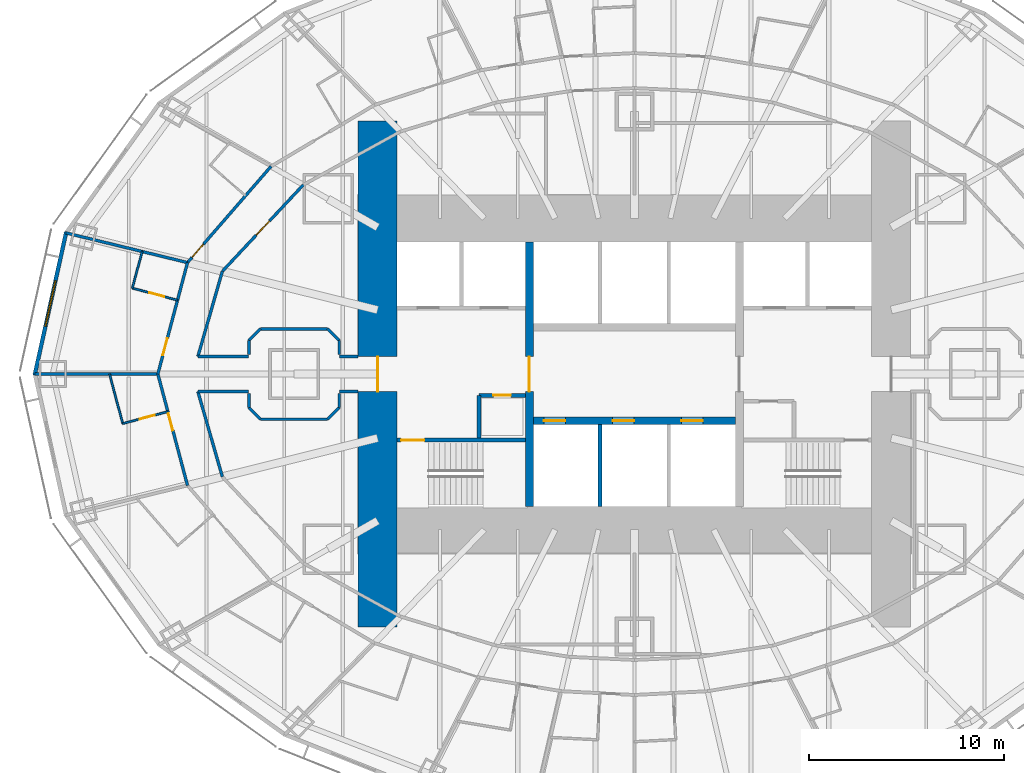
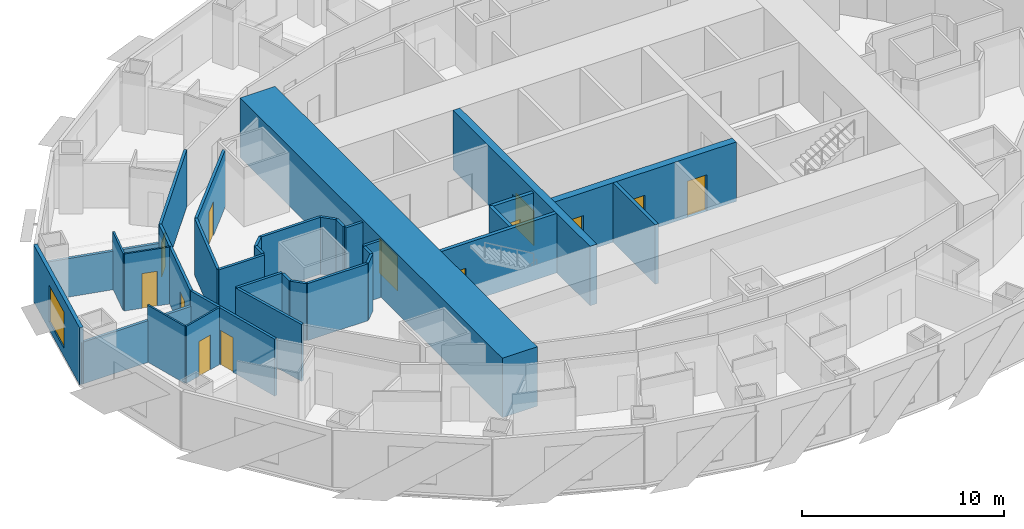
# One storey, part 6 of 15: 34 walls, 13 doors, 1 window, 14 openings.
"""IFC4 building model written with IfcOpenShell, lengths in metres."""

from ifc_helpers import new_model, si_unit, direction, frame, frame_2d, origin, place, context, subcontext, project, spatial, rectangle, extrude, material, layer, layer_set, type_object, element, fill, save


model = new_model("IFC4")

# Units and contexts
model_context = context("Model", 3, precision=1e-05, world=origin(), true_north=direction((0.0, 1.0)))
body_context = subcontext(model_context, "Body", "Model", "MODEL_VIEW")
ifc_project = project(units=[si_unit("LENGTHUNIT", "METRE"), si_unit("AREAUNIT", "SQUARE_METRE"), si_unit("VOLUMEUNIT", "CUBIC_METRE"), si_unit("PLANEANGLEUNIT", "RADIAN"), si_unit("MASSUNIT", "GRAM", prefix="KILO")], contexts=[model_context])

# Site, building, storey
site_placement = place(None, origin())
site = spatial("IfcSite", under=ifc_project, at=site_placement, CompositionType="ELEMENT")
building_placement = place(site_placement, origin())
building = spatial("IfcBuilding", under=site, at=building_placement, Name="Lantaw Convention Tower", CompositionType="ELEMENT")
storey_placement = place(building_placement, frame((0.0, 0.0, 62.199951171875)))
storey = spatial("IfcBuildingStorey", under=building, at=storey_placement, Name="L13", CompositionType="ELEMENT", Elevation=62.199951171875)

# Wall, opening, door
ifc_material_1 = material(Name="Moisture resistant gypsum board on steel studs", Category="steel")
ifc_layer_1 = layer(ifc_material_1, 0.10009765625)
ifc_layer_set_1 = layer_set([ifc_layer_1], Name="Bathroom wall 100")
wall_type_1 = type_object("IfcWallType", Name="Bathroom wall 100", PredefinedType="PARTITIONING", material=ifc_layer_set_1)
wall_1_placement = place(storey_placement, frame((-23.490234375, 3.7958984375, 0.0), z_axis=(0.0, 0.0, 1.0), x_axis=(-0.96639514992, 0.257061109879, 0.0)))
wall_1 = element("IfcWall", 1, at=wall_1_placement, inside=storey, type_object=wall_type_1, Name="Bathroom wall 100", PredefinedType="PARTITIONING", context=body_context, shape_type="SweptSolid", body=[
    extrude(rectangle(XDim=2.39990234375, YDim=0.10009765625, at=frame_2d((1.199951171875, 0.0))), origin(), (0.0, 0.0, 1.0), 3.449951171875),
])
opening_1_placement = place(wall_1_placement, frame((0.699951171875, 0.0, 0.0)))
opening_1 = element("IfcOpeningElement", 2, at=opening_1_placement, cuts=wall_1, Name="Opening L13.41", PredefinedType="OPENING", context=body_context, shape_type="SweptSolid", body=[
    extrude(rectangle(XDim=0.800048828125, YDim=2.10009765625, at=frame_2d((0.39990234375, 1.050048828125))), frame((0.0, 0.06005859375, 0.0), z_axis=(0.0, -1.0, 0.0), x_axis=(1.0, 0.0, 0.0)), (0.0, 0.0, 1.0), 0.1201171875),
])
ifc_material_2 = material(Name="Timber", Category="wood")
door_type_1 = type_object("IfcDoorType", Name="Bathroom door 800", OperationType="SINGLE_SWING_LEFT", PredefinedType="DOOR", material=ifc_material_2)
door_1_placement = place(opening_1_placement, origin())
door_1 = element("IfcDoor", 3, at=door_1_placement, inside=storey, type_object=door_type_1, Name="Bathroom door", OperationType="SINGLE_SWING_LEFT", OverallHeight=2.10009765625, OverallWidth=0.800048828125, PredefinedType="DOOR", context=body_context, shape_type="SweptSolid", body=[
    extrude(rectangle(XDim=0.800048828125, YDim=2.10009765625, at=frame_2d((0.39990234375, 1.050048828125))), frame((0.0, 0.02490234375, 0.0), z_axis=(0.0, -1.0, 0.0), x_axis=(1.0, 0.0, 0.0)), (0.0, 0.0, 1.0), 0.050048828125),
])
fill(opening_1, door_1)

# Wall
wall_2_placement = place(storey_placement, frame((-25.8095703125, 4.412841796875, 0.0), z_axis=(0.0, 0.0, 1.0), x_axis=(0.257143831715, 0.96637314212, 0.0)))
element("IfcWall", 4, at=wall_2_placement, inside=storey, type_object=wall_type_1, Name="Bathroom wall 100", PredefinedType="PARTITIONING", context=body_context, shape_type="SweptSolid", body=[
    extrude(rectangle(XDim=1.96240234375, YDim=0.10009765625, at=frame_2d((0.981201171875, 0.0))), origin(), (0.0, 0.0, 1.0), 3.449951171875),
])

# Wall, opening, door
wall_3_placement = place(storey_placement, frame((-23.98583984375, -1.932861328125, 0.0), z_axis=(0.0, 0.0, 1.0), x_axis=(-0.96639514992, -0.257061109879, 0.0)))
wall_3 = element("IfcWall", 5, at=wall_3_placement, inside=storey, type_object=wall_type_1, Name="Bathroom wall 100", PredefinedType="PARTITIONING", context=body_context, shape_type="SweptSolid", body=[
    extrude(rectangle(XDim=2.39990234375, YDim=0.10009765625, at=frame_2d((1.199951171875, 0.0))), origin(), (0.0, 0.0, 1.0), 3.449951171875),
])
opening_2_placement = place(wall_3_placement, frame((0.699951171875, 0.0, 0.0)))
opening_2 = element("IfcOpeningElement", 6, at=opening_2_placement, cuts=wall_3, Name="Opening L13.43", PredefinedType="OPENING", context=body_context, shape_type="SweptSolid", body=[
    extrude(rectangle(XDim=0.800048828125, YDim=2.10009765625, at=frame_2d((0.39990234375, 1.050048828125))), frame((0.0, 0.06005859375, 0.0), z_axis=(0.0, -1.0, 0.0), x_axis=(1.0, 0.0, 0.0)), (0.0, 0.0, 1.0), 0.1201171875),
])
door_2_placement = place(opening_2_placement, origin())
door_2 = element("IfcDoor", 7, at=door_2_placement, inside=storey, type_object=door_type_1, Name="Bathroom door", OperationType="SINGLE_SWING_LEFT", OverallHeight=2.10009765625, OverallWidth=0.800048828125, PredefinedType="DOOR", context=body_context, shape_type="SweptSolid", body=[
    extrude(rectangle(XDim=0.800048828125, YDim=2.10009765625, at=frame_2d((0.39990234375, 1.050048828125))), frame((0.0, 0.02490234375, 0.0), z_axis=(0.0, -1.0, 0.0), x_axis=(1.0, 0.0, 0.0)), (0.0, 0.0, 1.0), 0.050048828125),
])
fill(opening_2, door_2)

# Wall
wall_4_placement = place(storey_placement, frame((-26.30517578125, -2.5498046875, 0.0), z_axis=(0.0, 0.0, 1.0), x_axis=(-0.257052122515, 0.966397540513, 0.0)))
element("IfcWall", 8, at=wall_4_placement, inside=storey, type_object=wall_type_1, Name="Bathroom wall 100", PredefinedType="PARTITIONING", context=body_context, shape_type="SweptSolid", body=[
    extrude(rectangle(XDim=2.638427734375, YDim=0.10009765625, at=frame_2d((1.3193359375, 0.0))), origin(), (0.0, 0.0, 1.0), 3.449951171875),
])

# Wall, opening, door
ifc_material_3 = material(Name="Concrete C60/75", Category="concrete")
ifc_layer_2 = layer(ifc_material_3, 0.199951171875)
ifc_layer_set_2 = layer_set([ifc_layer_2], Name="Core wall 200")
wall_type_2 = type_object("IfcWallType", Name="Core wall 200", PredefinedType="SHEAR", material=ifc_layer_set_2)
wall_5_placement = place(storey_placement, frame((-5.60009765625, -3.39990234375, 0.0), z_axis=(0.0, 0.0, 1.0), x_axis=(-1.0, 0.0, 0.0)))
wall_5 = element("IfcWall", 9, at=wall_5_placement, inside=storey, type_object=wall_type_2, Name="Core wall WS", PredefinedType="SHEAR", context=body_context, shape_type="SweptSolid", body=[
    extrude(rectangle(XDim=6.599853515625, YDim=0.199951171875, at=frame_2d((3.2998046875, 0.0))), origin(), (0.0, 0.0, 1.0), 3.60009765625),
])
opening_3_placement = place(wall_5_placement, frame((5.199951171875, 0.0, 0.0)))
opening_3 = element("IfcOpeningElement", 10, at=opening_3_placement, cuts=wall_5, Name="Opening L13.06", PredefinedType="OPENING", context=body_context, shape_type="SweptSolid", body=[
    extrude(rectangle(XDim=1.199951171875, YDim=2.10009765625, at=frame_2d((0.60009765625, 1.050048828125))), frame((0.0, 0.10986328125, 0.0), z_axis=(0.0, -1.0, 0.0), x_axis=(1.0, 0.0, 0.0)), (0.0, 0.0, 1.0), 0.219970703125),
])
ifc_material_4 = material(Name="Steel, fire rated", Category="steel")
door_type_2 = type_object("IfcDoorType", Name="Stair door FD90", OperationType="SINGLE_SWING_RIGHT", PredefinedType="DOOR", material=ifc_material_4)
door_3_placement = place(opening_3_placement, origin())
door_3 = element("IfcDoor", 11, at=door_3_placement, inside=storey, type_object=door_type_2, Name="Exit stair door", OperationType="SINGLE_SWING_RIGHT", OverallHeight=2.10009765625, OverallWidth=1.199951171875, PredefinedType="DOOR", context=body_context, shape_type="SweptSolid", body=[
    extrude(rectangle(XDim=1.199951171875, YDim=2.10009765625, at=frame_2d((0.60009765625, 1.050048828125))), frame((0.0, 0.02490234375, 0.0), z_axis=(0.0, -1.0, 0.0), x_axis=(1.0, 0.0, 0.0)), (0.0, 0.0, 1.0), 0.050048828125),
])
fill(opening_3, door_3)

ifc_layer_3 = layer(ifc_material_3, 2.0)
ifc_layer_set_3 = layer_set([ifc_layer_3], Name="Core wall 2000")
wall_type_3 = type_object("IfcWallType", Name="Core wall 2000", PredefinedType="SHEAR", material=ifc_layer_set_3)
wall_6_placement = place(storey_placement, frame((-13.199951171875, 13.0, 0.0), z_axis=(0.0, 0.0, 1.0), x_axis=(0.0, -1.0, 0.0)))
wall_6 = element("IfcWall", 12, at=wall_6_placement, inside=storey, type_object=wall_type_3, Name="Core wall W", PredefinedType="SHEAR", context=body_context, shape_type="SweptSolid", body=[
    extrude(rectangle(XDim=26.0, YDim=2.0, at=frame_2d((13.0, 0.0))), origin(), (0.0, 0.0, 1.0), 3.60009765625),
])
opening_4_placement = place(wall_6_placement, frame((12.10009765625, 0.0, 0.0)))
opening_4 = element("IfcOpeningElement", 13, at=opening_4_placement, cuts=wall_6, Name="Opening L13.08", PredefinedType="OPENING", context=body_context, shape_type="SweptSolid", body=[
    extrude(rectangle(XDim=1.800048828125, YDim=2.10009765625, at=frame_2d((0.89990234375, 1.050048828125))), frame((0.0, 1.010009765625, 0.0), z_axis=(0.0, -1.0, 0.0), x_axis=(1.0, 0.0, 0.0)), (0.0, 0.0, 1.0), 2.02001953125),
])
door_type_3 = type_object("IfcDoorType", Name="Lobby double door FD90", OperationType="DOUBLE_DOOR_DOUBLE_SWING", PredefinedType="DOOR", material=ifc_material_4)
door_4_placement = place(opening_4_placement, origin())
door_4 = element("IfcDoor", 14, at=door_4_placement, inside=storey, type_object=door_type_3, Name="Firefighting lobby door", OperationType="DOUBLE_DOOR_DOUBLE_SWING", OverallHeight=2.10009765625, OverallWidth=1.800048828125, PredefinedType="DOOR", context=body_context, shape_type="SweptSolid", body=[
    extrude(rectangle(XDim=1.800048828125, YDim=2.10009765625, at=frame_2d((0.89990234375, 1.050048828125))), frame((0.0, 0.02490234375, 0.0), z_axis=(0.0, -1.0, 0.0), x_axis=(1.0, 0.0, 0.0)), (0.0, 0.0, 1.0), 0.050048828125),
])
fill(opening_4, door_4)

ifc_layer_4 = layer(ifc_material_3, 0.39990234375)
ifc_layer_set_4 = layer_set([ifc_layer_4], Name="Core wall 400")
wall_type_4 = type_object("IfcWallType", Name="Core wall 400", PredefinedType="SHEAR", material=ifc_layer_set_4)
wall_7_placement = place(storey_placement, frame((-5.39990234375, 6.800048828125, 0.0), z_axis=(0.0, 0.0, 1.0), x_axis=(0.0, -1.0, 0.0)))
wall_7 = element("IfcWall", 15, at=wall_7_placement, inside=storey, type_object=wall_type_4, Name="Core wall XW", PredefinedType="SHEAR", context=body_context, shape_type="SweptSolid", body=[
    extrude(rectangle(XDim=13.60009765625, YDim=0.39990234375, at=frame_2d((6.800048828125, 0.0))), origin(), (0.0, 0.0, 1.0), 3.60009765625),
])
opening_5_placement = place(wall_7_placement, frame((5.89990234375, 0.0, 0.0)))
opening_5 = element("IfcOpeningElement", 16, at=opening_5_placement, cuts=wall_7, Name="Opening L13.04", PredefinedType="OPENING", context=body_context, shape_type="SweptSolid", body=[
    extrude(rectangle(XDim=1.800048828125, YDim=2.10009765625, at=frame_2d((0.89990234375, 1.050048828125))), frame((0.0, 0.2099609375, 0.0), z_axis=(0.0, -1.0, 0.0), x_axis=(1.0, 0.0, 0.0)), (0.0, 0.0, 1.0), 0.419921875),
])
door_5_placement = place(opening_5_placement, origin())
door_5 = element("IfcDoor", 17, at=door_5_placement, inside=storey, type_object=door_type_3, Name="Lift lobby door", OperationType="DOUBLE_DOOR_DOUBLE_SWING", OverallHeight=2.10009765625, OverallWidth=1.800048828125, PredefinedType="DOOR", context=body_context, shape_type="SweptSolid", body=[
    extrude(rectangle(XDim=1.800048828125, YDim=2.10009765625, at=frame_2d((0.89990234375, 1.050048828125))), frame((0.0, 0.02490234375, 0.0), z_axis=(0.0, -1.0, 0.0), x_axis=(1.0, 0.0, 0.0)), (0.0, 0.0, 1.0), 0.050048828125),
])
fill(opening_5, door_5)

# Wall, openings, doors
wall_8_placement = place(storey_placement, frame((-5.199951171875, -2.39990234375, 0.0), z_axis=(0.0, 0.0, 1.0), x_axis=(1.0, 0.0, 0.0)))
wall_8 = element("IfcWall", 18, at=wall_8_placement, inside=storey, type_object=wall_type_4, Name="Core wall BS", PredefinedType="SHEAR", context=body_context, shape_type="SweptSolid", body=[
    extrude(rectangle(XDim=10.39990234375, YDim=0.39990234375, at=frame_2d((5.199951171875, 0.0))), origin(), (0.0, 0.0, 1.0), 3.60009765625),
])
opening_6_placement = place(wall_8_placement, frame((0.550048828125, 0.0, 0.0)))
opening_6 = element("IfcOpeningElement", 19, at=opening_6_placement, cuts=wall_8, Name="Opening L13.09", PredefinedType="OPENING", context=body_context, shape_type="SweptSolid", body=[
    extrude(rectangle(XDim=1.10009765625, YDim=2.199951171875, at=frame_2d((0.550048828125, 1.10009765625))), frame((0.0, 0.2099609375, 0.0), z_axis=(0.0, -1.0, 0.0), x_axis=(1.0, 0.0, 0.0)), (0.0, 0.0, 1.0), 0.419921875),
])
opening_7_placement = place(wall_8_placement, frame((4.083251953125, 0.0, 0.0)))
opening_7 = element("IfcOpeningElement", 20, at=opening_7_placement, cuts=wall_8, Name="Opening L13.10", PredefinedType="OPENING", context=body_context, shape_type="SweptSolid", body=[
    extrude(rectangle(XDim=1.10009765625, YDim=2.199951171875, at=frame_2d((0.550048828125, 1.10009765625))), frame((0.0, 0.2099609375, 0.0), z_axis=(0.0, -1.0, 0.0), x_axis=(1.0, 0.0, 0.0)), (0.0, 0.0, 1.0), 0.419921875),
])
opening_8_placement = place(wall_8_placement, frame((7.61669921875, 0.0, 0.0)))
opening_8 = element("IfcOpeningElement", 21, at=opening_8_placement, cuts=wall_8, Name="Opening L13.11", PredefinedType="OPENING", context=body_context, shape_type="SweptSolid", body=[
    extrude(rectangle(XDim=1.10009765625, YDim=2.199951171875, at=frame_2d((0.550048828125, 1.10009765625))), frame((0.0, 0.2099609375, 0.0), z_axis=(0.0, -1.0, 0.0), x_axis=(1.0, 0.0, 0.0)), (0.0, 0.0, 1.0), 0.419921875),
])
ifc_material_5 = material(Name="Stainless steel", Category="steel")
door_type_4 = type_object("IfcDoorType", Name="Lift landing door 1100", OperationType="DOUBLE_DOOR_SLIDING", PredefinedType="DOOR", material=ifc_material_5)
door_6_placement = place(opening_6_placement, origin())
door_6 = element("IfcDoor", 22, at=door_6_placement, inside=storey, type_object=door_type_4, Name="Lift landing door H1", OperationType="DOUBLE_DOOR_SLIDING", OverallHeight=2.199951171875, OverallWidth=1.10009765625, PredefinedType="DOOR", context=body_context, shape_type="SweptSolid", body=[
    extrude(rectangle(XDim=1.10009765625, YDim=2.199951171875, at=frame_2d((0.550048828125, 1.10009765625))), frame((0.0, 0.02490234375, 0.0), z_axis=(0.0, -1.0, 0.0), x_axis=(1.0, 0.0, 0.0)), (0.0, 0.0, 1.0), 0.050048828125),
])
fill(opening_6, door_6)
door_7_placement = place(opening_7_placement, origin())
door_7 = element("IfcDoor", 23, at=door_7_placement, inside=storey, type_object=door_type_4, Name="Lift landing door H2", OperationType="DOUBLE_DOOR_SLIDING", OverallHeight=2.199951171875, OverallWidth=1.10009765625, PredefinedType="DOOR", context=body_context, shape_type="SweptSolid", body=[
    extrude(rectangle(XDim=1.10009765625, YDim=2.199951171875, at=frame_2d((0.550048828125, 1.10009765625))), frame((0.0, 0.02490234375, 0.0), z_axis=(0.0, -1.0, 0.0), x_axis=(1.0, 0.0, 0.0)), (0.0, 0.0, 1.0), 0.050048828125),
])
fill(opening_7, door_7)
door_8_placement = place(opening_8_placement, origin())
door_8 = element("IfcDoor", 24, at=door_8_placement, inside=storey, type_object=door_type_4, Name="Lift landing door H3", OperationType="DOUBLE_DOOR_SLIDING", OverallHeight=2.199951171875, OverallWidth=1.10009765625, PredefinedType="DOOR", context=body_context, shape_type="SweptSolid", body=[
    extrude(rectangle(XDim=1.10009765625, YDim=2.199951171875, at=frame_2d((0.550048828125, 1.10009765625))), frame((0.0, 0.02490234375, 0.0), z_axis=(0.0, -1.0, 0.0), x_axis=(1.0, 0.0, 0.0)), (0.0, 0.0, 1.0), 0.050048828125),
])
fill(opening_8, door_8)

# Wall, opening, door
ifc_material_6 = material(Name="Gypsum board on steel studs, fire rated", Category="steel")
ifc_layer_5 = layer(ifc_material_6, 0.14990234375)
ifc_layer_set_5 = layer_set([ifc_layer_5], Name="Corridor wall 150 EI 60")
wall_type_5 = type_object("IfcWallType", Name="Corridor wall 150 EI 60", PredefinedType="PARTITIONING", material=ifc_layer_set_5)
wall_9_placement = place(storey_placement, frame((-18.681396484375, 10.675048828125, 0.0), z_axis=(0.0, 0.0, 1.0), x_axis=(-0.655599989166, -0.755108372491, 0.0)))
wall_9 = element("IfcWall", 25, at=wall_9_placement, inside=storey, type_object=wall_type_5, Name="Corridor wall 150", PredefinedType="PARTITIONING", context=body_context, shape_type="SweptSolid", body=[
    extrude(rectangle(XDim=6.55078125, YDim=0.14990234375, at=frame_2d((3.275390625, 0.0))), origin(), (0.0, 0.0, 1.0), 3.449951171875),
])
opening_9_placement = place(wall_9_placement, frame((5.30078125, 0.0, 0.0)))
opening_9 = element("IfcOpeningElement", 26, at=opening_9_placement, cuts=wall_9, Name="Opening L13.40", PredefinedType="OPENING", context=body_context, shape_type="SweptSolid", body=[
    extrude(rectangle(XDim=0.89990234375, YDim=2.10009765625, at=frame_2d((0.449951171875, 1.050048828125))), frame((0.0, 0.0849609375, 0.0), z_axis=(0.0, -1.0, 0.0), x_axis=(1.0, 0.0, 0.0)), (0.0, 0.0, 1.0), 0.169921875),
])
door_type_5 = type_object("IfcDoorType", Name="Guest room entrance door FD30S", OperationType="SINGLE_SWING_LEFT", PredefinedType="DOOR", material=ifc_material_4)
door_9_placement = place(opening_9_placement, origin())
door_9 = element("IfcDoor", 27, at=door_9_placement, inside=storey, type_object=door_type_5, Name="Guest room entrance door", OperationType="SINGLE_SWING_LEFT", OverallHeight=2.10009765625, OverallWidth=0.89990234375, PredefinedType="DOOR", context=body_context, shape_type="SweptSolid", body=[
    extrude(rectangle(XDim=0.89990234375, YDim=2.10009765625, at=frame_2d((0.449951171875, 1.050048828125))), frame((0.0, 0.02490234375, 0.0), z_axis=(0.0, -1.0, 0.0), x_axis=(1.0, 0.0, 0.0)), (0.0, 0.0, 1.0), 0.050048828125),
])
fill(opening_9, door_9)

wall_10_placement = place(storey_placement, frame((-22.97607421875, 5.728515625, 0.0), z_axis=(0.0, 0.0, 1.0), x_axis=(-0.257083265334, -0.966389256296, 0.0)))
wall_10 = element("IfcWall", 28, at=wall_10_placement, inside=storey, type_object=wall_type_5, Name="Corridor wall 150", PredefinedType="PARTITIONING", context=body_context, shape_type="SweptSolid", body=[
    extrude(rectangle(XDim=5.927734375, YDim=0.14990234375, at=frame_2d((2.9638671875, 0.0))), origin(), (0.0, 0.0, 1.0), 3.449951171875),
])
opening_10_placement = place(wall_10_placement, frame((4.023193359375, 0.0, 0.0)))
opening_10 = element("IfcOpeningElement", 29, at=opening_10_placement, cuts=wall_10, Name="Opening L13.42", PredefinedType="OPENING", context=body_context, shape_type="SweptSolid", body=[
    extrude(rectangle(XDim=0.89990234375, YDim=2.10009765625, at=frame_2d((0.449951171875, 1.050048828125))), frame((0.0, 0.0849609375, 0.0), z_axis=(0.0, -1.0, 0.0), x_axis=(1.0, 0.0, 0.0)), (0.0, 0.0, 1.0), 0.169921875),
])
door_10_placement = place(opening_10_placement, origin())
door_10 = element("IfcDoor", 30, at=door_10_placement, inside=storey, type_object=door_type_5, Name="Guest room entrance door", OperationType="SINGLE_SWING_LEFT", OverallHeight=2.10009765625, OverallWidth=0.89990234375, PredefinedType="DOOR", context=body_context, shape_type="SweptSolid", body=[
    extrude(rectangle(XDim=0.89990234375, YDim=2.10009765625, at=frame_2d((0.449951171875, 1.050048828125))), frame((0.0, 0.02490234375, 0.0), z_axis=(0.0, -1.0, 0.0), x_axis=(1.0, 0.0, 0.0)), (0.0, 0.0, 1.0), 0.050048828125),
])
fill(opening_10, door_10)

wall_11_placement = place(storey_placement, frame((-24.5, 0.0, 0.0), z_axis=(0.0, 0.0, 1.0), x_axis=(0.257083265334, -0.966389256296, 0.0)))
wall_11 = element("IfcWall", 31, at=wall_11_placement, inside=storey, type_object=wall_type_5, Name="Corridor wall 150", PredefinedType="PARTITIONING", context=body_context, shape_type="SweptSolid", body=[
    extrude(rectangle(XDim=5.927734375, YDim=0.14990234375, at=frame_2d((2.9638671875, 0.0))), origin(), (0.0, 0.0, 1.0), 3.449951171875),
])
opening_11_placement = place(wall_11_placement, frame((2.10009765625, 0.0, 0.0)))
opening_11 = element("IfcOpeningElement", 32, at=opening_11_placement, cuts=wall_11, Name="Opening L13.44", PredefinedType="OPENING", context=body_context, shape_type="SweptSolid", body=[
    extrude(rectangle(XDim=0.89990234375, YDim=2.10009765625, at=frame_2d((0.449951171875, 1.050048828125))), frame((0.0, 0.0849609375, 0.0), z_axis=(0.0, -1.0, 0.0), x_axis=(1.0, 0.0, 0.0)), (0.0, 0.0, 1.0), 0.169921875),
])
door_11_placement = place(opening_11_placement, origin())
door_11 = element("IfcDoor", 33, at=door_11_placement, inside=storey, type_object=door_type_5, Name="Guest room entrance door", OperationType="SINGLE_SWING_LEFT", OverallHeight=2.10009765625, OverallWidth=0.89990234375, PredefinedType="DOOR", context=body_context, shape_type="SweptSolid", body=[
    extrude(rectangle(XDim=0.89990234375, YDim=2.10009765625, at=frame_2d((0.449951171875, 1.050048828125))), frame((0.0, 0.02490234375, 0.0), z_axis=(0.0, -1.0, 0.0), x_axis=(1.0, 0.0, 0.0)), (0.0, 0.0, 1.0), 0.050048828125),
])
fill(opening_11, door_11)

wall_12_placement = place(storey_placement, frame((-17.020751953125, 9.72607421875, 0.0), z_axis=(0.0, 0.0, 1.0), x_axis=(-0.68365836236, -0.729802194828, 0.0)))
wall_12 = element("IfcWall", 34, at=wall_12_placement, inside=storey, type_object=wall_type_5, Name="Corridor wall 150", PredefinedType="PARTITIONING", context=body_context, shape_type="SweptSolid", body=[
    extrude(rectangle(XDim=6.08984375, YDim=0.14990234375, at=frame_2d((3.044921875, 0.0))), origin(), (0.0, 0.0, 1.0), 3.449951171875),
])
opening_12_placement = place(wall_12_placement, frame((2.544921875, 0.0, 0.0)))
opening_12 = element("IfcOpeningElement", 35, at=opening_12_placement, cuts=wall_12, Name="Opening L13.20", PredefinedType="OPENING", context=body_context, shape_type="SweptSolid", body=[
    extrude(rectangle(XDim=1.0, YDim=2.10009765625, at=frame_2d((0.5, 1.050048828125))), frame((0.0, 0.0849609375, 0.0), z_axis=(0.0, -1.0, 0.0), x_axis=(1.0, 0.0, 0.0)), (0.0, 0.0, 1.0), 0.169921875),
])
door_type_6 = type_object("IfcDoorType", Name="Service door 1000 FD30", OperationType="SINGLE_SWING_LEFT", PredefinedType="DOOR", material=ifc_material_4)
door_12_placement = place(opening_12_placement, origin())
door_12 = element("IfcDoor", 36, at=door_12_placement, inside=storey, type_object=door_type_6, Name="Housekeeping room door", OperationType="SINGLE_SWING_LEFT", OverallHeight=2.10009765625, OverallWidth=1.0, PredefinedType="DOOR", context=body_context, shape_type="SweptSolid", body=[
    extrude(rectangle(XDim=1.0, YDim=2.10009765625, at=frame_2d((0.5, 1.050048828125))), frame((0.0, 0.02490234375, 0.0), z_axis=(0.0, -1.0, 0.0), x_axis=(1.0, 0.0, 0.0)), (0.0, 0.0, 1.0), 0.050048828125),
])
fill(opening_12, door_12)

# Walls
for number, where, z_axis, x_axis, name in (
    (37, (-21.18408203125, 5.28173828125, 0.0), (0.0, 0.0, 1.0), (-0.27585972825, -0.961197903831, 0.0), "Corridor wall 150"),
    (38, (-22.441650390625, -0.89990234375, 0.0), (0.0, 0.0, 1.0), (0.27585972825, -0.961197903831, 0.0), "Corridor wall 150"),
):
    element("IfcWall", number, at=place(storey_placement, frame(where, z_axis=z_axis, x_axis=x_axis)), inside=storey, type_object=wall_type_5, Name=name, PredefinedType="PARTITIONING", context=body_context, shape_type="SweptSolid", body=[
        extrude(rectangle(XDim=4.558837890625, YDim=0.14990234375, at=frame_2d((2.279296875, 0.0))), origin(), (0.0, 0.0, 1.0), 3.449951171875),
    ])
wall_13_placement = place(storey_placement, frame((-14.199951171875, -0.89990234375, 0.0), z_axis=(0.0, 0.0, 1.0), x_axis=(-1.0, 0.0, 0.0)))
element("IfcWall", 39, at=wall_13_placement, inside=storey, type_object=wall_type_5, Name="Corridor wall 150", PredefinedType="PARTITIONING", context=body_context, shape_type="SweptSolid", body=[
    extrude(rectangle(XDim=0.965087890625, YDim=0.14990234375, at=frame_2d((0.482421875, 0.0))), origin(), (0.0, 0.0, 1.0), 3.449951171875),
])
wall_14_placement = place(storey_placement, frame((-19.8349609375, -0.89990234375, 0.0), z_axis=(0.0, 0.0, 1.0), x_axis=(-1.0, 0.0, 0.0)))
element("IfcWall", 40, at=wall_14_placement, inside=storey, type_object=wall_type_5, Name="Corridor wall 150", PredefinedType="PARTITIONING", context=body_context, shape_type="SweptSolid", body=[
    extrude(rectangle(XDim=2.606689453125, YDim=0.14990234375, at=frame_2d((1.30322265625, 0.0))), origin(), (0.0, 0.0, 1.0), 3.449951171875),
])
wall_15_placement = place(storey_placement, frame((-14.199951171875, 0.89990234375, 0.0), z_axis=(0.0, 0.0, 1.0), x_axis=(-1.0, 0.0, 0.0)))
element("IfcWall", 41, at=wall_15_placement, inside=storey, type_object=wall_type_5, Name="Corridor wall 150", PredefinedType="PARTITIONING", context=body_context, shape_type="SweptSolid", body=[
    extrude(rectangle(XDim=0.965087890625, YDim=0.14990234375, at=frame_2d((0.482421875, 0.0))), origin(), (0.0, 0.0, 1.0), 3.449951171875),
])
wall_16_placement = place(storey_placement, frame((-19.8349609375, 0.89990234375, 0.0), z_axis=(0.0, 0.0, 1.0), x_axis=(-1.0, 0.0, 0.0)))
element("IfcWall", 42, at=wall_16_placement, inside=storey, type_object=wall_type_5, Name="Corridor wall 150", PredefinedType="PARTITIONING", context=body_context, shape_type="SweptSolid", body=[
    extrude(rectangle(XDim=2.606689453125, YDim=0.14990234375, at=frame_2d((1.30322265625, 0.0))), origin(), (0.0, 0.0, 1.0), 3.449951171875),
])
wall_17_placement = place(storey_placement, frame((-19.824951171875, 1.003173828125, 0.0), z_axis=(0.0, 0.0, 1.0), x_axis=(0.0, 1.0, 0.0)))
element("IfcWall", 43, at=wall_17_placement, inside=storey, type_object=wall_type_5, Name="Corridor wall 150", PredefinedType="PARTITIONING", context=body_context, shape_type="SweptSolid", body=[
    extrude(rectangle(XDim=0.721435546875, YDim=0.14990234375, at=frame_2d((0.36083984375, 0.0))), origin(), (0.0, 0.0, 1.0), 3.449951171875),
])
wall_18_placement = place(storey_placement, frame((-19.824951171875, 1.724609375, 0.0), z_axis=(0.0, 0.0, 1.0), x_axis=(0.707106781187, 0.707106781187, 0.0)))
element("IfcWall", 44, at=wall_18_placement, inside=storey, type_object=wall_type_5, Name="Corridor wall 150", PredefinedType="PARTITIONING", context=body_context, shape_type="SweptSolid", body=[
    extrude(rectangle(XDim=0.84912109375, YDim=0.14990234375, at=frame_2d((0.424560546875, 0.0))), origin(), (0.0, 0.0, 1.0), 3.449951171875),
])
wall_19_placement = place(storey_placement, frame((-19.224609375, 2.324951171875, 0.0), z_axis=(0.0, 0.0, 1.0), x_axis=(1.0, 0.0, 0.0)))
element("IfcWall", 45, at=wall_19_placement, inside=storey, type_object=wall_type_5, Name="Corridor wall 150", PredefinedType="PARTITIONING", context=body_context, shape_type="SweptSolid", body=[
    extrude(rectangle(XDim=3.44921875, YDim=0.14990234375, at=frame_2d((1.724609375, 0.0))), origin(), (0.0, 0.0, 1.0), 3.449951171875),
])
wall_20_placement = place(storey_placement, frame((-15.775390625, 2.324951171875, 0.0), z_axis=(0.0, 0.0, 1.0), x_axis=(0.707106781187, -0.707106781187, 0.0)))
element("IfcWall", 46, at=wall_20_placement, inside=storey, type_object=wall_type_5, Name="Corridor wall 150", PredefinedType="PARTITIONING", context=body_context, shape_type="SweptSolid", body=[
    extrude(rectangle(XDim=0.84912109375, YDim=0.14990234375, at=frame_2d((0.424560546875, 0.0))), origin(), (0.0, 0.0, 1.0), 3.449951171875),
])
for number, where, z_axis, x_axis, name in (
    (47, (-15.175048828125, 1.724609375, 0.0), (0.0, 0.0, 1.0), (0.0, -1.0, 0.0), "Corridor wall 150"),
    (48, (-19.824951171875, -1.724609375, 0.0), (0.0, 0.0, 1.0), (0.0, 1.0, 0.0), "Corridor wall 150"),
    (49, (-15.175048828125, -1.003173828125, 0.0), (0.0, 0.0, 1.0), (0.0, -1.0, 0.0), "Corridor wall 150"),
):
    element("IfcWall", number, at=place(storey_placement, frame(where, z_axis=z_axis, x_axis=x_axis)), inside=storey, type_object=wall_type_5, Name=name, PredefinedType="PARTITIONING", context=body_context, shape_type="SweptSolid", body=[
        extrude(rectangle(XDim=0.721435546875, YDim=0.14990234375, at=frame_2d((0.36083984375, 0.0))), origin(), (0.0, 0.0, 1.0), 3.449951171875),
    ])
wall_21_placement = place(storey_placement, frame((-15.175048828125, -1.724609375, 0.0), z_axis=(0.0, 0.0, 1.0), x_axis=(-0.707106781187, -0.707106781187, 0.0)))
element("IfcWall", 50, at=wall_21_placement, inside=storey, type_object=wall_type_5, Name="Corridor wall 150", PredefinedType="PARTITIONING", context=body_context, shape_type="SweptSolid", body=[
    extrude(rectangle(XDim=0.84912109375, YDim=0.14990234375, at=frame_2d((0.424560546875, 0.0))), origin(), (0.0, 0.0, 1.0), 3.449951171875),
])
wall_22_placement = place(storey_placement, frame((-15.775390625, -2.324951171875, 0.0), z_axis=(0.0, 0.0, 1.0), x_axis=(-1.0, 0.0, 0.0)))
element("IfcWall", 51, at=wall_22_placement, inside=storey, type_object=wall_type_5, Name="Corridor wall 150", PredefinedType="PARTITIONING", context=body_context, shape_type="SweptSolid", body=[
    extrude(rectangle(XDim=3.44921875, YDim=0.14990234375, at=frame_2d((1.724609375, 0.0))), origin(), (0.0, 0.0, 1.0), 3.449951171875),
])
wall_23_placement = place(storey_placement, frame((-19.224609375, -2.324951171875, 0.0), z_axis=(0.0, 0.0, 1.0), x_axis=(-0.707106781187, 0.707106781187, 0.0)))
element("IfcWall", 52, at=wall_23_placement, inside=storey, type_object=wall_type_5, Name="Corridor wall 150", PredefinedType="PARTITIONING", context=body_context, shape_type="SweptSolid", body=[
    extrude(rectangle(XDim=0.84912109375, YDim=0.14990234375, at=frame_2d((0.424560546875, 0.0))), origin(), (0.0, 0.0, 1.0), 3.449951171875),
])

# Wall, opening, window
ifc_material_7 = material(Name="Insulated aluminium panel on steel frame", Category="steel")
ifc_layer_6 = layer(ifc_material_7, 0.199951171875)
ifc_layer_set_6 = layer_set([ifc_layer_6], Name="External wall 200")
wall_type_6 = type_object("IfcWallType", Name="External wall 200", PredefinedType="SOLIDWALL", material=ifc_layer_set_6)
wall_24_placement = place(storey_placement, frame((-29.207763671875, 7.318115234375, 0.0), z_axis=(0.0, 0.0, 1.0), x_axis=(-0.215238065514, -0.976561608478, 0.0)))
wall_24 = element("IfcWall", 53, at=wall_24_placement, inside=storey, type_object=wall_type_6, Name="Facade panel wall", PredefinedType="SOLIDWALL", context=body_context, shape_type="SweptSolid", body=[
    extrude(rectangle(XDim=7.562255859375, YDim=0.199951171875, at=frame_2d((3.78125, 0.0))), origin(), (0.0, 0.0, 1.0), 3.449951171875),
])
opening_13_placement = place(wall_24_placement, frame((2.581298828125, 0.0, 0.5)))
opening_13 = element("IfcOpeningElement", 54, at=opening_13_placement, cuts=wall_24, Name="Opening W1", PredefinedType="OPENING", context=body_context, shape_type="SweptSolid", body=[
    extrude(rectangle(XDim=2.39990234375, YDim=2.199951171875, at=frame_2d((1.199951171875, 1.10009765625))), frame((0.0, 0.10986328125, 0.0), z_axis=(0.0, -1.0, 0.0), x_axis=(1.0, 0.0, 0.0)), (0.0, 0.0, 1.0), 0.219970703125),
])
ifc_material_8 = material(Name="Aluminium frame, clear insulating glass", Category="aluminium")
window_type = type_object("IfcWindowType", Name="Guest room window 2400x2200", PartitioningType="SINGLE_PANEL", PredefinedType="WINDOW", material=ifc_material_8)
window_placement = place(opening_13_placement, origin())
window = element("IfcWindow", 55, at=window_placement, inside=storey, type_object=window_type, Name="Guest room window", OverallHeight=2.199951171875, OverallWidth=2.39990234375, PartitioningType="SINGLE_PANEL", PredefinedType="WINDOW", context=body_context, shape_type="SweptSolid", body=[
    extrude(rectangle(XDim=2.39990234375, YDim=2.199951171875, at=frame_2d((1.199951171875, 1.10009765625))), frame((0.0, 0.030029296875, 0.0), z_axis=(0.0, -1.0, 0.0), x_axis=(1.0, 0.0, 0.0)), (0.0, 0.0, 1.0), 0.06005859375),
])
fill(opening_13, window)

# Walls
ifc_material_9 = material(Name="Gypsum board on steel studs, acoustic", Category="steel")
ifc_layer_7 = layer(ifc_material_9, 0.14990234375)
ifc_layer_set_7 = layer_set([ifc_layer_7], Name="Guest room party wall 150")
wall_type_7 = type_object("IfcWallType", Name="Guest room party wall 150", PredefinedType="PARTITIONING", material=ifc_layer_set_7)
wall_25_placement = place(storey_placement, frame((-29.221923828125, 7.253662109375, 0.0), z_axis=(0.0, 0.0, 1.0), x_axis=(0.971456980633, -0.237215797913, 0.0)))
element("IfcWall", 56, at=wall_25_placement, inside=storey, type_object=wall_type_7, Name="Guest room party wall 150", PredefinedType="PARTITIONING", context=body_context, shape_type="SweptSolid", body=[
    extrude(rectangle(XDim=6.429443359375, YDim=0.14990234375, at=frame_2d((3.21484375, 0.0))), origin(), (0.0, 0.0, 1.0), 2.33251953125),
])
wall_26_placement = place(storey_placement, frame((-30.82080078125, 0.0, 0.0), z_axis=(0.0, 0.0, 1.0), x_axis=(1.0, 0.0, 0.0)))
element("IfcWall", 57, at=wall_26_placement, inside=storey, type_object=wall_type_7, Name="Guest room party wall 150", PredefinedType="PARTITIONING", context=body_context, shape_type="SweptSolid", body=[
    extrude(rectangle(XDim=6.32080078125, YDim=0.14990234375, at=frame_2d((3.160400390625, 0.0))), origin(), (0.0, 0.0, 1.0), 2.528076171875),
])

# Wall, opening, door
ifc_material_10 = material(Name="Concrete blockwork, fire rated", Category="masonry")
ifc_layer_8 = layer(ifc_material_10, 0.199951171875)
ifc_layer_set_8 = layer_set([ifc_layer_8], Name="Plant room wall 200 EI 120")
wall_type_8 = type_object("IfcWallType", Name="Plant room wall 200 EI 120", PredefinedType="SOLIDWALL", material=ifc_layer_set_8)
wall_27_placement = place(storey_placement, frame((-5.60009765625, -1.10009765625, 0.0), z_axis=(0.0, 0.0, 1.0), x_axis=(-1.0, 0.0, 0.0)))
wall_27 = element("IfcWall", 58, at=wall_27_placement, inside=storey, type_object=wall_type_8, Name="Plant room wall 200", PredefinedType="SOLIDWALL", context=body_context, shape_type="SweptSolid", body=[
    extrude(rectangle(XDim=2.39990234375, YDim=0.199951171875, at=frame_2d((1.199951171875, 0.0))), origin(), (0.0, 0.0, 1.0), 3.449951171875),
])
opening_14_placement = place(wall_27_placement, frame((0.75, 0.0, 0.0)))
opening_14 = element("IfcOpeningElement", 59, at=opening_14_placement, cuts=wall_27, Name="Opening L13.01", PredefinedType="OPENING", context=body_context, shape_type="SweptSolid", body=[
    extrude(rectangle(XDim=0.89990234375, YDim=2.10009765625, at=frame_2d((0.449951171875, 1.050048828125))), frame((0.0, 0.10986328125, 0.0), z_axis=(0.0, -1.0, 0.0), x_axis=(1.0, 0.0, 0.0)), (0.0, 0.0, 1.0), 0.219970703125),
])
door_type_7 = type_object("IfcDoorType", Name="Service door 900 FD60", OperationType="SINGLE_SWING_LEFT", PredefinedType="DOOR", material=ifc_material_4)
door_13_placement = place(opening_14_placement, origin())
door_13 = element("IfcDoor", 60, at=door_13_placement, inside=storey, type_object=door_type_7, Name="Housekeeping pantry door", OperationType="SINGLE_SWING_LEFT", OverallHeight=2.10009765625, OverallWidth=0.89990234375, PredefinedType="DOOR", context=body_context, shape_type="SweptSolid", body=[
    extrude(rectangle(XDim=0.89990234375, YDim=2.10009765625, at=frame_2d((0.449951171875, 1.050048828125))), frame((0.0, 0.02490234375, 0.0), z_axis=(0.0, -1.0, 0.0), x_axis=(1.0, 0.0, 0.0)), (0.0, 0.0, 1.0), 0.050048828125),
])
fill(opening_14, door_13)

# Walls
wall_28_placement = place(storey_placement, frame((-8.0, -1.10009765625, 0.0), z_axis=(0.0, 0.0, 1.0), x_axis=(0.0, -1.0, 0.0)))
element("IfcWall", 61, at=wall_28_placement, inside=storey, type_object=wall_type_8, Name="Plant room wall 200", PredefinedType="SOLIDWALL", context=body_context, shape_type="SweptSolid", body=[
    extrude(rectangle(XDim=2.199951171875, YDim=0.199951171875, at=frame_2d((1.10009765625, 0.0))), origin(), (0.0, 0.0, 1.0), 3.449951171875),
])
ifc_layer_9 = layer(ifc_material_10, 0.199951171875)
ifc_layer_set_9 = layer_set([ifc_layer_9], Name="Shaft wall 200 load-bearing")
wall_type_9 = type_object("IfcWallType", Name="Shaft wall 200 load-bearing", PredefinedType="SOLIDWALL", material=ifc_layer_set_9)
wall_29_placement = place(storey_placement, frame((-1.7666015625, -2.60009765625, 0.0), z_axis=(0.0, 0.0, 1.0), x_axis=(0.0, -1.0, 0.0)))
element("IfcWall", 62, at=wall_29_placement, inside=storey, type_object=wall_type_9, Name="Shaft wall DS1", PredefinedType="SOLIDWALL", context=body_context, shape_type="SweptSolid", body=[
    extrude(rectangle(XDim=4.199951171875, YDim=0.199951171875, at=frame_2d((2.10009765625, 0.0))), origin(), (0.0, 0.0, 1.0), 3.60009765625),
])

save(model, "model.ifc")
